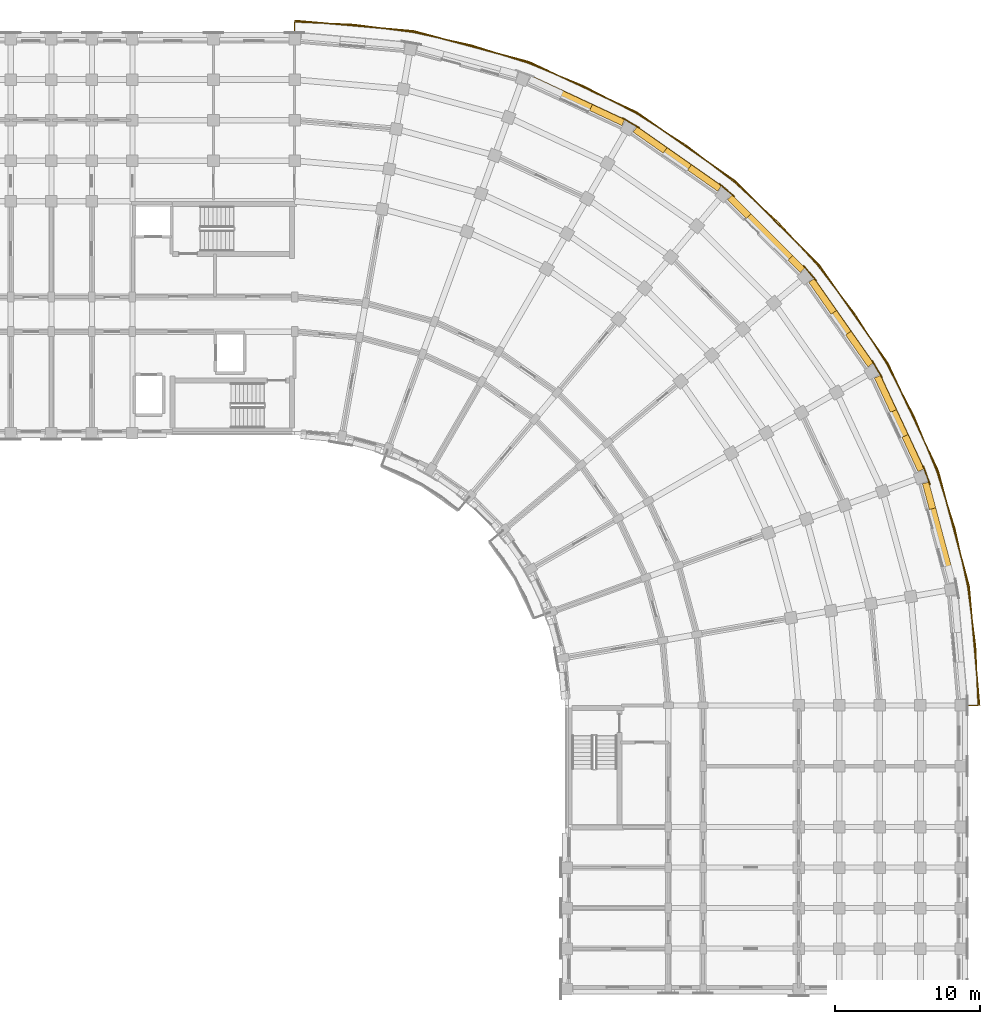
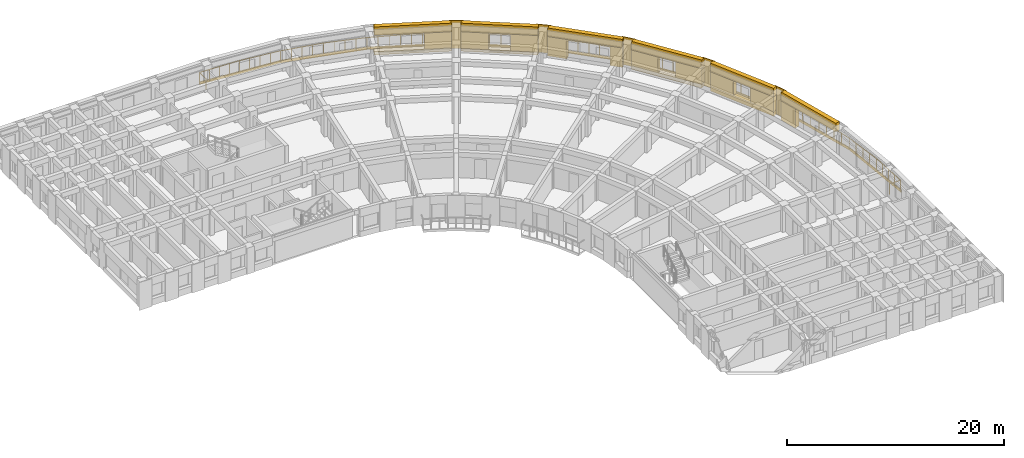
# One storey, part 52 of 54: 26 coverings, 1 railing.
"""IFC4 building model written with IfcOpenShell, lengths in metres."""

from ifc_helpers import new_model, si_unit, direction, frame, origin, origin_2d, place, context, subcontext, project, spatial, polyline, circle, outline, extrude, material, layer, layer_set, type_object, element, save


model = new_model("IFC4")

# Units and contexts
model_context = context("Model", 3, precision=1e-05, world=origin(), true_north=direction((0.0, 1.0)))
body_context = subcontext(model_context, "Body", "Model", "MODEL_VIEW")
ifc_project = project(units=[si_unit("LENGTHUNIT", "METRE"), si_unit("AREAUNIT", "SQUARE_METRE"), si_unit("VOLUMEUNIT", "CUBIC_METRE"), si_unit("PLANEANGLEUNIT", "RADIAN"), si_unit("MASSUNIT", "GRAM", prefix="KILO")], contexts=[model_context])

# Site, building, storey
site_placement = place(None, origin())
site = spatial("IfcSite", under=ifc_project, at=site_placement, CompositionType="ELEMENT")
building_placement = place(site_placement, origin())
building = spatial("IfcBuilding", under=site, at=building_placement, Name="Kiranvali Square Residences", CompositionType="ELEMENT")
storey_placement = place(building_placement, frame((0.0, 0.0, 11.85009765625)))
storey = spatial("IfcBuildingStorey", under=building, at=storey_placement, Name="L03", CompositionType="ELEMENT", Elevation=11.85009765625)

# Coverings
ifc_material_1 = material(Name="Carved Porbandar limestone classical entablature and cornice", Category="masonry")
ifc_layer_1 = layer(ifc_material_1, 0.072021484375)
ifc_layer_set_1 = layer_set([ifc_layer_1], Name="Carved Porbandar limestone classical entablature and cornice")
covering_type_1 = type_object("IfcCoveringType", Name="COV-CLAD-BAL", PredefinedType="CLADDING", material=ifc_layer_set_1)
covering_1_placement = place(storey_placement, frame((0.0, 0.0, -0.239990234375)))
element("IfcCovering", 1, at=covering_1_placement, inside=storey, type_object=covering_type_1, Name="Block B L03 continuous curved limestone balcony fascia", PredefinedType="CLADDING", context=body_context, shape_type="SweptSolid", body=[
    extrude(outline(polyline([(119.800048828125, 135.052001953125), (128.005126953125, 134.334228515625), (135.961181640625, 132.202392578125), (143.426025390625, 128.721435546875), (150.173095703125, 123.9970703125), (155.9970703125, 118.173095703125), (160.721435546875, 111.426025390625), (164.202392578125, 103.961181640625), (166.334228515625, 96.005126953125), (167.052001953125, 87.800048828125), (167.117919921875, 87.800048828125), (166.399169921875, 96.0166015625), (164.264404296875, 103.983642578125), (160.778564453125, 111.458984375), (156.047607421875, 118.21533203125), (150.21533203125, 124.047607421875), (143.458984375, 128.778564453125), (135.983642578125, 132.264404296875), (128.0166015625, 134.399169921875), (119.800048828125, 135.117919921875), (119.800048828125, 135.052001953125)])), origin(), (0.0, 0.0, 1.0), 0.2998046875),
])
ifc_material_2 = material(Name="Honed Porbandar limestone ashlar facade cladding", Category="masonry")
ifc_layer_2 = layer(ifc_material_2, 0.3798828125)
ifc_layer_set_2 = layer_set([ifc_layer_2], Name="Honed Porbandar limestone ashlar facade cladding")
covering_type_2 = type_object("IfcCoveringType", Name="COV-CLAD-JAMB", PredefinedType="CLADDING", material=ifc_layer_set_2)
covering_2_placement = place(storey_placement, frame((0.0, 0.0, 0.371826171875)))
element("IfcCovering", 2, at=covering_2_placement, inside=storey, type_object=covering_type_2, Name="L03 deep limestone window jamb reveal B-L03-CRV-02.R", PredefinedType="CLADDING", context=body_context, shape_type="SweptSolid", body=[
    extrude(outline(polyline([(140.16357421875, 128.8671875), (142.392333984375, 127.827880859375), (142.586669921875, 128.244140625), (140.35791015625, 129.283447265625), (140.16357421875, 128.8671875)])), origin(), (0.0, 0.0, 1.0), 1.800048828125),
])
covering_3_placement = place(storey_placement, frame((0.0, 0.0, 0.322021484375)))
element("IfcCovering", 3, at=covering_3_placement, inside=storey, type_object=covering_type_2, Name="L03 deep limestone window jamb reveal B-L03-CRV-03.L", PredefinedType="CLADDING", context=body_context, shape_type="SweptSolid", body=[
    extrude(outline(polyline([(143.1689453125, 127.37939453125), (145.244873046875, 125.926025390625), (145.50830078125, 126.30224609375), (143.432373046875, 127.755859375), (143.1689453125, 127.37939453125)])), origin(), (0.0, 0.0, 1.0), 1.849853515625),
])
covering_4_placement = place(storey_placement, frame((0.0, 0.0, 0.322021484375)))
element("IfcCovering", 4, at=covering_4_placement, inside=storey, type_object=covering_type_2, Name="L03 deep limestone window jamb reveal B-L03-CRV-03.R", PredefinedType="CLADDING", context=body_context, shape_type="SweptSolid", body=[
    extrude(outline(polyline([(146.924072265625, 124.75), (149.0, 123.296630859375), (149.263427734375, 123.6728515625), (147.1875, 125.12646484375), (146.924072265625, 124.75)])), origin(), (0.0, 0.0, 1.0), 1.849853515625),
])
covering_5_placement = place(storey_placement, origin())
element("IfcCovering", 5, at=covering_5_placement, inside=storey, type_object=covering_type_2, Name="L03 deep limestone window jamb reveal B-L03-CRV-04.L", PredefinedType="CLADDING", context=body_context, shape_type="SweptSolid", body=[
    extrude(outline(polyline([(149.686767578125, 122.72021484375), (150.98876953125, 121.418212890625), (151.313720703125, 121.742919921875), (150.01171875, 123.045166015625), (149.686767578125, 122.72021484375)])), origin(), (0.0, 0.0, 1.0), 2.179931640625),
])
covering_6_placement = place(storey_placement, origin())
element("IfcCovering", 6, at=covering_6_placement, inside=storey, type_object=covering_type_2, Name="L03 deep limestone window jamb reveal B-L03-CRV-04.R", PredefinedType="CLADDING", context=body_context, shape_type="SweptSolid", body=[
    extrude(outline(polyline([(153.87109375, 118.535888671875), (154.72021484375, 117.686767578125), (155.045166015625, 118.01171875), (154.196044921875, 118.86083984375), (153.87109375, 118.535888671875)])), origin(), (0.0, 0.0, 1.0), 2.179931640625),
])
covering_7_placement = place(storey_placement, frame((0.0, 0.0, 0.421875)))
element("IfcCovering", 7, at=covering_7_placement, inside=storey, type_object=covering_type_2, Name="L03 deep limestone window jamb reveal B-L03-CRV-05.L", PredefinedType="CLADDING", context=body_context, shape_type="SweptSolid", body=[
    extrude(outline(polyline([(155.296630859375, 117.0), (156.836181640625, 114.80126953125), (157.212646484375, 115.064697265625), (155.6728515625, 117.263427734375), (155.296630859375, 117.0)])), origin(), (0.0, 0.0, 1.0), 1.75),
])
covering_8_placement = place(storey_placement, frame((0.0, 0.0, 0.421875)))
element("IfcCovering", 8, at=covering_8_placement, inside=storey, type_object=covering_type_2, Name="L03 deep limestone window jamb reveal B-L03-CRV-05.R", PredefinedType="CLADDING", context=body_context, shape_type="SweptSolid", body=[
    extrude(outline(polyline([(157.83984375, 113.36767578125), (159.37939453125, 111.1689453125), (159.755859375, 111.432373046875), (158.21630859375, 113.631103515625), (157.83984375, 113.36767578125)])), origin(), (0.0, 0.0, 1.0), 1.75),
])
covering_9_placement = place(storey_placement, frame((0.0, 0.0, 0.52197265625)))
element("IfcCovering", 9, at=covering_9_placement, inside=storey, type_object=covering_type_2, Name="L03 deep limestone window jamb reveal B-L03-CRV-06.L", PredefinedType="CLADDING", context=body_context, shape_type="SweptSolid", body=[
    extrude(outline(polyline([(159.827880859375, 110.392333984375), (160.930419921875, 108.027587890625), (161.346923828125, 108.221923828125), (160.244140625, 110.586669921875), (159.827880859375, 110.392333984375)])), origin(), (0.0, 0.0, 1.0), 1.64990234375),
])
covering_10_placement = place(storey_placement, frame((0.0, 0.0, 0.52197265625)))
element("IfcCovering", 10, at=covering_10_placement, inside=storey, type_object=covering_type_2, Name="L03 deep limestone window jamb reveal B-L03-CRV-06.R", PredefinedType="CLADDING", context=body_context, shape_type="SweptSolid", body=[
    extrude(outline(polyline([(161.7333984375, 106.3056640625), (162.836181640625, 103.94091796875), (163.252685546875, 104.13525390625), (162.14990234375, 106.5), (161.7333984375, 106.3056640625)])), origin(), (0.0, 0.0, 1.0), 1.64990234375),
])
covering_11_placement = place(storey_placement, origin())
element("IfcCovering", 11, at=covering_11_placement, inside=storey, type_object=covering_type_2, Name="L03 deep limestone window jamb reveal B-L03-CRV-07.L", PredefinedType="CLADDING", context=body_context, shape_type="SweptSolid", body=[
    extrude(outline(polyline([(163.142822265625, 103.098388671875), (163.619384765625, 101.31982421875), (164.063232421875, 101.438720703125), (163.586669921875, 103.21728515625), (163.142822265625, 103.098388671875)])), origin(), (0.0, 0.0, 1.0), 2.179931640625),
])
ifc_layer_3 = layer(ifc_material_2, 0.06494140625)
ifc_layer_set_3 = layer_set([ifc_layer_3], Name="Honed Porbandar limestone ashlar facade cladding")
covering_type_3 = type_object("IfcCoveringType", Name="COV-CLAD-PIER", PredefinedType="CLADDING", material=ifc_layer_set_3)
covering_12_placement = place(storey_placement, frame((0.0, 0.0, 0.0048828125)))
element("IfcCovering", 12, at=covering_12_placement, inside=storey, type_object=covering_type_3, Name="L03 Classical limestone corner pilaster CLAD-PR-B-L03-A03", PredefinedType="CLADDING", context=body_context, shape_type="SweptSolid", body=[
    extrude(outline(polyline([(143.622802734375, 127.702392578125), (142.445068359375, 128.382568359375), (142.411376953125, 128.323974609375), (143.589111328125, 127.64404296875), (143.622802734375, 127.702392578125)])), origin(), (0.0, 0.0, 1.0), 3.14013671875),
])
covering_13_placement = place(storey_placement, frame((0.0, 0.0, 0.0048828125)))
element("IfcCovering", 13, at=covering_13_placement, inside=storey, type_object=covering_type_3, Name="L03 Classical limestone corner pilaster CLAD-PR-B-L03-A04", PredefinedType="CLADDING", context=body_context, shape_type="SweptSolid", body=[
    extrude(outline(polyline([(150.18994140625, 122.95947265625), (149.148193359375, 123.833740234375), (149.104736328125, 123.781982421875), (150.146484375, 122.90771484375), (150.18994140625, 122.95947265625)])), origin(), (0.0, 0.0, 1.0), 3.14013671875),
])
covering_14_placement = place(storey_placement, frame((0.0, 0.0, 0.0048828125)))
element("IfcCovering", 14, at=covering_14_placement, inside=storey, type_object=covering_type_3, Name="L03 Classical limestone corner pilaster CLAD-PR-B-L03-A05", PredefinedType="CLADDING", context=body_context, shape_type="SweptSolid", body=[
    extrude(outline(polyline([(155.833740234375, 117.148193359375), (154.95947265625, 118.18994140625), (154.90771484375, 118.146484375), (155.781982421875, 117.104736328125), (155.833740234375, 117.148193359375)])), origin(), (0.0, 0.0, 1.0), 3.14013671875),
])
covering_15_placement = place(storey_placement, frame((0.0, 0.0, 0.0048828125)))
element("IfcCovering", 15, at=covering_15_placement, inside=storey, type_object=covering_type_3, Name="L03 Classical limestone corner pilaster CLAD-PR-B-L03-A06", PredefinedType="CLADDING", context=body_context, shape_type="SweptSolid", body=[
    extrude(outline(polyline([(160.382568359375, 110.445068359375), (159.702392578125, 111.622802734375), (159.64404296875, 111.589111328125), (160.323974609375, 110.411376953125), (160.382568359375, 110.445068359375)])), origin(), (0.0, 0.0, 1.0), 3.14013671875),
])
covering_16_placement = place(storey_placement, frame((0.0, 0.0, 0.0048828125)))
element("IfcCovering", 16, at=covering_16_placement, inside=storey, type_object=covering_type_3, Name="L03 Classical limestone corner pilaster CLAD-PR-B-L03-A07", PredefinedType="CLADDING", context=body_context, shape_type="SweptSolid", body=[
    extrude(outline(polyline([(163.6982421875, 103.053955078125), (163.233154296875, 104.33203125), (163.169677734375, 104.308837890625), (163.634765625, 103.031005859375), (163.6982421875, 103.053955078125)])), origin(), (0.0, 0.0, 1.0), 3.14013671875),
])
ifc_layer_4 = layer(ifc_material_2, 0.360107421875)
ifc_layer_set_4 = layer_set([ifc_layer_4], Name="Honed Porbandar limestone ashlar facade cladding")
covering_type_4 = type_object("IfcCoveringType", Name="COV-CLAD-WALL", PredefinedType="CLADDING", material=ifc_layer_set_4)
covering_17_placement = place(storey_placement, frame((0.0, 0.0, 2.171875)))
element("IfcCovering", 17, at=covering_17_placement, inside=storey, type_object=covering_type_4, Name="L03 light limestone spandrel lintel B-L03-CRV-02", PredefinedType="CLADDING", context=body_context, shape_type="SweptSolid", body=[
    extrude(outline(polyline([(135.94091796875, 130.836181640625), (142.392333984375, 127.827880859375), (142.586669921875, 128.244140625), (136.13525390625, 131.252685546875), (135.94091796875, 130.836181640625)])), origin(), (0.0, 0.0, 1.0), 0.97314453125),
])
covering_18_placement = place(storey_placement, frame((0.0, 0.0, 0.0048828125)))
element("IfcCovering", 18, at=covering_18_placement, inside=storey, type_object=covering_type_4, Name="L03 limestone window sill apron B-L03-CRV-02", PredefinedType="CLADDING", context=body_context, shape_type="SweptSolid", body=[
    extrude(outline(polyline([(135.94091796875, 130.836181640625), (142.392333984375, 127.827880859375), (142.59912109375, 128.271484375), (136.14794921875, 131.27978515625), (135.94091796875, 130.836181640625)])), origin(), (0.0, 0.0, 1.0), 0.366943359375),
])
covering_19_placement = place(storey_placement, frame((0.0, 0.0, 2.171875)))
element("IfcCovering", 19, at=covering_19_placement, inside=storey, type_object=covering_type_4, Name="L03 light limestone spandrel lintel B-L03-CRV-03", PredefinedType="CLADDING", context=body_context, shape_type="SweptSolid", body=[
    extrude(outline(polyline([(143.1689453125, 127.37939453125), (149.0, 123.296630859375), (149.263427734375, 123.6728515625), (143.432373046875, 127.755859375), (143.1689453125, 127.37939453125)])), origin(), (0.0, 0.0, 1.0), 0.97314453125),
])
covering_20_placement = place(storey_placement, frame((0.0, 0.0, 0.0048828125)))
element("IfcCovering", 20, at=covering_20_placement, inside=storey, type_object=covering_type_4, Name="L03 limestone window sill apron B-L03-CRV-03", PredefinedType="CLADDING", context=body_context, shape_type="SweptSolid", body=[
    extrude(outline(polyline([(143.1689453125, 127.37939453125), (149.0, 123.296630859375), (149.28076171875, 123.697509765625), (143.44970703125, 127.780517578125), (143.1689453125, 127.37939453125)])), origin(), (0.0, 0.0, 1.0), 0.317138671875),
])
covering_21_placement = place(storey_placement, frame((0.0, 0.0, 2.179931640625)))
element("IfcCovering", 21, at=covering_21_placement, inside=storey, type_object=covering_type_4, Name="L03 light limestone spandrel lintel B-L03-CRV-04", PredefinedType="CLADDING", context=body_context, shape_type="SweptSolid", body=[
    extrude(outline(polyline([(149.686767578125, 122.72021484375), (154.72021484375, 117.686767578125), (155.045166015625, 118.01171875), (150.01171875, 123.045166015625), (149.686767578125, 122.72021484375)])), origin(), (0.0, 0.0, 1.0), 0.965087890625),
])
covering_22_placement = place(storey_placement, frame((0.0, 0.0, 2.171875)))
element("IfcCovering", 22, at=covering_22_placement, inside=storey, type_object=covering_type_4, Name="L03 light limestone spandrel lintel B-L03-CRV-05", PredefinedType="CLADDING", context=body_context, shape_type="SweptSolid", body=[
    extrude(outline(polyline([(155.296630859375, 117.0), (159.37939453125, 111.1689453125), (159.755859375, 111.432373046875), (155.6728515625, 117.263427734375), (155.296630859375, 117.0)])), origin(), (0.0, 0.0, 1.0), 0.97314453125),
])
covering_23_placement = place(storey_placement, frame((0.0, 0.0, 0.0048828125)))
element("IfcCovering", 23, at=covering_23_placement, inside=storey, type_object=covering_type_4, Name="L03 limestone window sill apron B-L03-CRV-05", PredefinedType="CLADDING", context=body_context, shape_type="SweptSolid", body=[
    extrude(outline(polyline([(155.296630859375, 117.0), (159.37939453125, 111.1689453125), (159.780517578125, 111.44970703125), (155.697509765625, 117.28076171875), (155.296630859375, 117.0)])), origin(), (0.0, 0.0, 1.0), 0.4169921875),
])
covering_24_placement = place(storey_placement, frame((0.0, 0.0, 2.171875)))
element("IfcCovering", 24, at=covering_24_placement, inside=storey, type_object=covering_type_4, Name="L03 light limestone spandrel lintel B-L03-CRV-06", PredefinedType="CLADDING", context=body_context, shape_type="SweptSolid", body=[
    extrude(outline(polyline([(159.827880859375, 110.392333984375), (162.836181640625, 103.94091796875), (163.252685546875, 104.13525390625), (160.244140625, 110.586669921875), (159.827880859375, 110.392333984375)])), origin(), (0.0, 0.0, 1.0), 0.97314453125),
])
covering_25_placement = place(storey_placement, frame((0.0, 0.0, 0.0048828125)))
element("IfcCovering", 25, at=covering_25_placement, inside=storey, type_object=covering_type_4, Name="L03 limestone window sill apron B-L03-CRV-06", PredefinedType="CLADDING", context=body_context, shape_type="SweptSolid", body=[
    extrude(outline(polyline([(159.827880859375, 110.392333984375), (162.836181640625, 103.94091796875), (163.27978515625, 104.14794921875), (160.271484375, 110.59912109375), (159.827880859375, 110.392333984375)])), origin(), (0.0, 0.0, 1.0), 0.51708984375),
])
covering_26_placement = place(storey_placement, frame((0.0, 0.0, 2.179931640625)))
element("IfcCovering", 26, at=covering_26_placement, inside=storey, type_object=covering_type_4, Name="L03 light limestone spandrel lintel B-L03-CRV-07", PredefinedType="CLADDING", context=body_context, shape_type="SweptSolid", body=[
    extrude(outline(polyline([(163.142822265625, 103.098388671875), (164.985107421875, 96.22265625), (165.428955078125, 96.341552734375), (163.586669921875, 103.21728515625), (163.142822265625, 103.098388671875)])), origin(), (0.0, 0.0, 1.0), 0.965087890625),
])

# Railing
ifc_material_3 = material(Name="Powder-coated architectural bronze balustrade", Category="steel")
railing_type = type_object("IfcRailingType", Name="RL-BAL-GOLD-1200", PredefinedType="BALUSTRADE", material=ifc_material_3)
railing_placement = place(storey_placement, frame((119.800048828125, 133.840087890625, 0.0)))
element("IfcRailing", 27, at=railing_placement, inside=storey, type_object=railing_type, Name="Block B L03 continuous curved corner gold balustrade", PredefinedType="BALUSTRADE", context=body_context, shape_type="SweptSolid", body=[
    extrude(circle(Radius=0.02392578125, at=origin_2d()), frame((0.0, 0.0, 1.17578125), z_axis=(0.0, 1.0, 0.0), x_axis=(-1.0, 0.0, 0.0)), (0.0, 0.0, 1.0), 1.14990234375),
    extrude(circle(Radius=0.02392578125, at=origin_2d()), frame((0.0, 1.14990234375, 1.17578125), z_axis=(0.999049544955, -0.043589066576, 0.0), x_axis=(0.043589066576, 0.999049544955, 0.0)), (0.0, 0.0, 1.0), 4.11669921875),
    extrude(circle(Radius=0.02392578125, at=origin_2d()), frame((4.11279296875, 0.970458984375, 1.17578125), z_axis=(0.991444603928, -0.1305281477, 0.0), x_axis=(0.1305281477, 0.991444603928, 0.0)), (0.0, 0.0, 1.0), 4.11669921875),
    extrude(circle(Radius=0.02392578125, at=origin_2d()), frame((8.1943359375, 0.43310546875, 1.17578125), z_axis=(0.976292989924, -0.216453223181, 0.0), x_axis=(0.216453223181, 0.976292989924, 0.0)), (0.0, 0.0, 1.0), 4.116943359375),
    extrude(circle(Radius=0.02392578125, at=origin_2d()), frame((12.213623046875, -0.4580078125, 1.17578125), z_axis=(0.953710744932, -0.300725481131, 0.0), x_axis=(0.300725481131, 0.953710744932, 0.0)), (0.0, 0.0, 1.0), 4.116943359375),
    extrude(circle(Radius=0.02392578125, at=origin_2d()), frame((16.139892578125, -1.696044921875, 1.17578125), z_axis=(0.923880226262, -0.382681757498, 0.0), x_axis=(0.382681757498, 0.923880226262, 0.0)), (0.0, 0.0, 1.0), 4.116943359375),
    extrude(circle(Radius=0.02392578125, at=origin_2d()), frame((19.943359375, -3.271484375, 1.17578125), z_axis=(0.887013781313, -0.461742949877, 0.0), x_axis=(0.461742949877, 0.887013781313, 0.0)), (0.0, 0.0, 1.0), 4.11669921875),
    extrude(circle(Radius=0.02392578125, at=origin_2d()), frame((23.594970703125, -5.17236328125, 1.17578125), z_axis=(0.843402550976, -0.537282176335, 0.0), x_axis=(0.537282176335, 0.843402550976, 0.0)), (0.0, 0.0, 1.0), 4.116943359375),
    extrude(circle(Radius=0.02392578125, at=origin_2d()), frame((27.067138671875, -7.38427734375, 1.17578125), z_axis=(0.793339967331, -0.608778856594, 0.0), x_axis=(0.608778856594, 0.793339967331, 0.0)), (0.0, 0.0, 1.0), 4.11669921875),
    extrude(circle(Radius=0.02392578125, at=origin_2d()), frame((30.3330078125, -9.890380859375, 1.17578125), z_axis=(0.737299356654, -0.675566176386, 0.0), x_axis=(0.675566176386, 0.737299356654, 0.0)), (0.0, 0.0, 1.0), 4.116943359375),
    extrude(circle(Radius=0.02392578125, at=origin_2d()), frame((33.368408203125, -12.671630859375, 1.17578125), z_axis=(0.675566176386, -0.737299356654, 0.0), x_axis=(0.737299356654, 0.675566176386, 0.0)), (0.0, 0.0, 1.0), 4.116943359375),
    extrude(circle(Radius=0.02392578125, at=origin_2d()), frame((36.149658203125, -15.70703125, 1.17578125), z_axis=(0.608778856594, -0.793339967331, 0.0), x_axis=(0.793339967331, 0.608778856594, 0.0)), (0.0, 0.0, 1.0), 4.11669921875),
    extrude(circle(Radius=0.02392578125, at=origin_2d()), frame((38.65576171875, -18.972900390625, 1.17578125), z_axis=(0.537282176335, -0.843402550976, 0.0), x_axis=(0.843402550976, 0.537282176335, 0.0)), (0.0, 0.0, 1.0), 4.116943359375),
    extrude(circle(Radius=0.02392578125, at=origin_2d()), frame((40.86767578125, -22.445068359375, 1.17578125), z_axis=(0.461742949877, -0.887013781313, 0.0), x_axis=(0.887013781313, 0.461742949877, 0.0)), (0.0, 0.0, 1.0), 4.11669921875),
    extrude(circle(Radius=0.02392578125, at=origin_2d()), frame((42.7685546875, -26.0966796875, 1.17578125), z_axis=(0.382681757498, -0.923880226262, 0.0), x_axis=(0.923880226262, 0.382681757498, 0.0)), (0.0, 0.0, 1.0), 4.116943359375),
    extrude(circle(Radius=0.02392578125, at=origin_2d()), frame((44.343994140625, -29.900146484375, 1.17578125), z_axis=(0.300725481131, -0.953710744932, 0.0), x_axis=(0.953710744932, 0.300725481131, 0.0)), (0.0, 0.0, 1.0), 4.116943359375),
    extrude(circle(Radius=0.02392578125, at=origin_2d()), frame((45.58203125, -33.826416015625, 1.17578125), z_axis=(0.216453223181, -0.976292989924, 0.0), x_axis=(0.976292989924, 0.216453223181, 0.0)), (0.0, 0.0, 1.0), 4.116943359375),
    extrude(circle(Radius=0.02392578125, at=origin_2d()), frame((46.47314453125, -37.845703125, 1.17578125), z_axis=(0.1305281477, -0.991444603928, 0.0), x_axis=(0.991444603928, 0.1305281477, 0.0)), (0.0, 0.0, 1.0), 4.11669921875),
    extrude(circle(Radius=0.02392578125, at=origin_2d()), frame((47.010498046875, -41.92724609375, 1.17578125), z_axis=(0.043589066576, -0.999049544955, 0.0), x_axis=(0.999049544955, 0.043589066576, 0.0)), (0.0, 0.0, 1.0), 4.11669921875),
    extrude(circle(Radius=0.02392578125, at=origin_2d()), frame((47.18994140625, -46.0400390625, 1.17578125), z_axis=(-1.0, 0.0, 0.0), x_axis=(0.0, -1.0, 0.0)), (0.0, 0.0, 1.0), 1.14990234375),
    extrude(circle(Radius=0.02099609375, at=origin_2d()), origin(), (0.0, 0.0, 1.0), 1.15185546875),
    extrude(circle(Radius=0.02099609375, at=origin_2d()), frame((0.0, 1.14990234375, 0.0)), (0.0, 0.0, 1.0), 1.15185546875),
    extrude(circle(Radius=0.02099609375, at=origin_2d()), frame((1.0283203125, 1.10498046875, 0.0)), (0.0, 0.0, 1.0), 1.15185546875),
    extrude(circle(Radius=0.02099609375, at=origin_2d()), frame((2.056396484375, 1.06005859375, 0.0)), (0.0, 0.0, 1.0), 1.15185546875),
    extrude(circle(Radius=0.02099609375, at=origin_2d()), frame((3.08447265625, 1.015380859375, 0.0)), (0.0, 0.0, 1.0), 1.15185546875),
    extrude(circle(Radius=0.02099609375, at=origin_2d()), frame((4.11279296875, 0.970458984375, 0.0)), (0.0, 0.0, 1.0), 1.15185546875),
    extrude(circle(Radius=0.02099609375, at=origin_2d()), frame((5.13330078125, 0.836181640625, 0.0)), (0.0, 0.0, 1.0), 1.15185546875),
    extrude(circle(Radius=0.02099609375, at=origin_2d()), frame((6.153564453125, 0.70166015625, 0.0)), (0.0, 0.0, 1.0), 1.15185546875),
    extrude(circle(Radius=0.02099609375, at=origin_2d()), frame((7.173828125, 0.5673828125, 0.0)), (0.0, 0.0, 1.0), 1.15185546875),
    extrude(circle(Radius=0.02099609375, at=origin_2d()), frame((8.1943359375, 0.43310546875, 0.0)), (0.0, 0.0, 1.0), 1.15185546875),
    extrude(circle(Radius=0.02099609375, at=origin_2d()), frame((9.19921875, 0.21044921875, 0.0)), (0.0, 0.0, 1.0), 1.15185546875),
    extrude(circle(Radius=0.02099609375, at=origin_2d()), frame((10.2041015625, -0.012451171875, 0.0)), (0.0, 0.0, 1.0), 1.15185546875),
    extrude(circle(Radius=0.02099609375, at=origin_2d()), frame((11.208740234375, -0.2353515625, 0.0)), (0.0, 0.0, 1.0), 1.15185546875),
    extrude(circle(Radius=0.02099609375, at=origin_2d()), frame((12.213623046875, -0.4580078125, 0.0)), (0.0, 0.0, 1.0), 1.15185546875),
    extrude(circle(Radius=0.02099609375, at=origin_2d()), frame((13.1953125, -0.767578125, 0.0)), (0.0, 0.0, 1.0), 1.15185546875),
    extrude(circle(Radius=0.02099609375, at=origin_2d()), frame((14.1767578125, -1.0771484375, 0.0)), (0.0, 0.0, 1.0), 1.15185546875),
    extrude(circle(Radius=0.02099609375, at=origin_2d()), frame((15.158203125, -1.386474609375, 0.0)), (0.0, 0.0, 1.0), 1.15185546875),
    extrude(circle(Radius=0.02099609375, at=origin_2d()), frame((16.139892578125, -1.696044921875, 0.0)), (0.0, 0.0, 1.0), 1.15185546875),
    extrude(circle(Radius=0.02099609375, at=origin_2d()), frame((17.0908203125, -2.08984375, 0.0)), (0.0, 0.0, 1.0), 1.15185546875),
    extrude(circle(Radius=0.02099609375, at=origin_2d()), frame((18.04150390625, -2.48388671875, 0.0)), (0.0, 0.0, 1.0), 1.15185546875),
    extrude(circle(Radius=0.02099609375, at=origin_2d()), frame((18.992431640625, -2.877685546875, 0.0)), (0.0, 0.0, 1.0), 1.15185546875),
    extrude(circle(Radius=0.02099609375, at=origin_2d()), frame((19.943359375, -3.271484375, 0.0)), (0.0, 0.0, 1.0), 1.15185546875),
    extrude(circle(Radius=0.02099609375, at=origin_2d()), frame((20.856201171875, -3.74658203125, 0.0)), (0.0, 0.0, 1.0), 1.15185546875),
    extrude(circle(Radius=0.02099609375, at=origin_2d()), frame((21.76904296875, -4.221923828125, 0.0)), (0.0, 0.0, 1.0), 1.15185546875),
    extrude(circle(Radius=0.02099609375, at=origin_2d()), frame((22.68212890625, -4.697265625, 0.0)), (0.0, 0.0, 1.0), 1.15185546875),
    extrude(circle(Radius=0.02099609375, at=origin_2d()), frame((23.594970703125, -5.17236328125, 0.0)), (0.0, 0.0, 1.0), 1.15185546875),
    extrude(circle(Radius=0.02099609375, at=origin_2d()), frame((24.462890625, -5.725341796875, 0.0)), (0.0, 0.0, 1.0), 1.15185546875),
    extrude(circle(Radius=0.02099609375, at=origin_2d()), frame((25.3310546875, -6.2783203125, 0.0)), (0.0, 0.0, 1.0), 1.15185546875),
    extrude(circle(Radius=0.02099609375, at=origin_2d()), frame((26.19921875, -6.831298828125, 0.0)), (0.0, 0.0, 1.0), 1.15185546875),
    extrude(circle(Radius=0.02099609375, at=origin_2d()), frame((27.067138671875, -7.38427734375, 0.0)), (0.0, 0.0, 1.0), 1.15185546875),
    extrude(circle(Radius=0.02099609375, at=origin_2d()), frame((27.883544921875, -8.0107421875, 0.0)), (0.0, 0.0, 1.0), 1.15185546875),
    extrude(circle(Radius=0.02099609375, at=origin_2d()), frame((28.7001953125, -8.63720703125, 0.0)), (0.0, 0.0, 1.0), 1.15185546875),
    extrude(circle(Radius=0.02099609375, at=origin_2d()), frame((29.5166015625, -9.263916015625, 0.0)), (0.0, 0.0, 1.0), 1.15185546875),
    extrude(circle(Radius=0.02099609375, at=origin_2d()), frame((30.3330078125, -9.890380859375, 0.0)), (0.0, 0.0, 1.0), 1.15185546875),
    extrude(circle(Radius=0.02099609375, at=origin_2d()), frame((31.091796875, -10.585693359375, 0.0)), (0.0, 0.0, 1.0), 1.15185546875),
    extrude(circle(Radius=0.02099609375, at=origin_2d()), frame((31.8505859375, -11.281005859375, 0.0)), (0.0, 0.0, 1.0), 1.15185546875),
    extrude(circle(Radius=0.02099609375, at=origin_2d()), frame((32.609619140625, -11.976318359375, 0.0)), (0.0, 0.0, 1.0), 1.15185546875),
    extrude(circle(Radius=0.02099609375, at=origin_2d()), frame((33.368408203125, -12.671630859375, 0.0)), (0.0, 0.0, 1.0), 1.15185546875),
    extrude(circle(Radius=0.02099609375, at=origin_2d()), frame((34.063720703125, -13.430419921875, 0.0)), (0.0, 0.0, 1.0), 1.15185546875),
    extrude(circle(Radius=0.02099609375, at=origin_2d()), frame((34.759033203125, -14.189453125, 0.0)), (0.0, 0.0, 1.0), 1.15185546875),
    extrude(circle(Radius=0.02099609375, at=origin_2d()), frame((35.454345703125, -14.9482421875, 0.0)), (0.0, 0.0, 1.0), 1.15185546875),
    extrude(circle(Radius=0.02099609375, at=origin_2d()), frame((36.149658203125, -15.70703125, 0.0)), (0.0, 0.0, 1.0), 1.15185546875),
    extrude(circle(Radius=0.02099609375, at=origin_2d()), frame((36.776123046875, -16.5234375, 0.0)), (0.0, 0.0, 1.0), 1.15185546875),
    extrude(circle(Radius=0.02099609375, at=origin_2d()), frame((37.40283203125, -17.33984375, 0.0)), (0.0, 0.0, 1.0), 1.15185546875),
    extrude(circle(Radius=0.02099609375, at=origin_2d()), frame((38.029296875, -18.156494140625, 0.0)), (0.0, 0.0, 1.0), 1.15185546875),
    extrude(circle(Radius=0.02099609375, at=origin_2d()), frame((38.65576171875, -18.972900390625, 0.0)), (0.0, 0.0, 1.0), 1.15185546875),
    extrude(circle(Radius=0.02099609375, at=origin_2d()), frame((39.208740234375, -19.8408203125, 0.0)), (0.0, 0.0, 1.0), 1.15185546875),
    extrude(circle(Radius=0.02099609375, at=origin_2d()), frame((39.76171875, -20.708984375, 0.0)), (0.0, 0.0, 1.0), 1.15185546875),
    extrude(circle(Radius=0.02099609375, at=origin_2d()), frame((40.314697265625, -21.5771484375, 0.0)), (0.0, 0.0, 1.0), 1.15185546875),
    extrude(circle(Radius=0.02099609375, at=origin_2d()), frame((40.86767578125, -22.445068359375, 0.0)), (0.0, 0.0, 1.0), 1.15185546875),
    extrude(circle(Radius=0.02099609375, at=origin_2d()), frame((41.3427734375, -23.35791015625, 0.0)), (0.0, 0.0, 1.0), 1.15185546875),
    extrude(circle(Radius=0.02099609375, at=origin_2d()), frame((41.818115234375, -24.27099609375, 0.0)), (0.0, 0.0, 1.0), 1.15185546875),
    extrude(circle(Radius=0.02099609375, at=origin_2d()), frame((42.29345703125, -25.183837890625, 0.0)), (0.0, 0.0, 1.0), 1.15185546875),
    extrude(circle(Radius=0.02099609375, at=origin_2d()), frame((42.7685546875, -26.0966796875, 0.0)), (0.0, 0.0, 1.0), 1.15185546875),
    extrude(circle(Radius=0.02099609375, at=origin_2d()), frame((43.162353515625, -27.047607421875, 0.0)), (0.0, 0.0, 1.0), 1.15185546875),
    extrude(circle(Radius=0.02099609375, at=origin_2d()), frame((43.55615234375, -27.99853515625, 0.0)), (0.0, 0.0, 1.0), 1.15185546875),
    extrude(circle(Radius=0.02099609375, at=origin_2d()), frame((43.9501953125, -28.94921875, 0.0)), (0.0, 0.0, 1.0), 1.15185546875),
    extrude(circle(Radius=0.02099609375, at=origin_2d()), frame((44.343994140625, -29.900146484375, 0.0)), (0.0, 0.0, 1.0), 1.15185546875),
    extrude(circle(Radius=0.02099609375, at=origin_2d()), frame((44.653564453125, -30.8818359375, 0.0)), (0.0, 0.0, 1.0), 1.15185546875),
    extrude(circle(Radius=0.02099609375, at=origin_2d()), frame((44.962890625, -31.86328125, 0.0)), (0.0, 0.0, 1.0), 1.15185546875),
    extrude(circle(Radius=0.02099609375, at=origin_2d()), frame((45.2724609375, -32.8447265625, 0.0)), (0.0, 0.0, 1.0), 1.15185546875),
    extrude(circle(Radius=0.02099609375, at=origin_2d()), frame((45.58203125, -33.826416015625, 0.0)), (0.0, 0.0, 1.0), 1.15185546875),
    extrude(circle(Radius=0.02099609375, at=origin_2d()), frame((45.8046875, -34.831298828125, 0.0)), (0.0, 0.0, 1.0), 1.15185546875),
    extrude(circle(Radius=0.02099609375, at=origin_2d()), frame((46.027587890625, -35.8359375, 0.0)), (0.0, 0.0, 1.0), 1.15185546875),
    extrude(circle(Radius=0.02099609375, at=origin_2d()), frame((46.25048828125, -36.8408203125, 0.0)), (0.0, 0.0, 1.0), 1.15185546875),
    extrude(circle(Radius=0.02099609375, at=origin_2d()), frame((46.47314453125, -37.845703125, 0.0)), (0.0, 0.0, 1.0), 1.15185546875),
    extrude(circle(Radius=0.02099609375, at=origin_2d()), frame((46.607421875, -38.8662109375, 0.0)), (0.0, 0.0, 1.0), 1.15185546875),
    extrude(circle(Radius=0.02099609375, at=origin_2d()), frame((46.74169921875, -39.886474609375, 0.0)), (0.0, 0.0, 1.0), 1.15185546875),
    extrude(circle(Radius=0.02099609375, at=origin_2d()), frame((46.876220703125, -40.90673828125, 0.0)), (0.0, 0.0, 1.0), 1.15185546875),
    extrude(circle(Radius=0.02099609375, at=origin_2d()), frame((47.010498046875, -41.92724609375, 0.0)), (0.0, 0.0, 1.0), 1.15185546875),
    extrude(circle(Radius=0.02099609375, at=origin_2d()), frame((47.055419921875, -42.95556640625, 0.0)), (0.0, 0.0, 1.0), 1.15185546875),
    extrude(circle(Radius=0.02099609375, at=origin_2d()), frame((47.10009765625, -43.983642578125, 0.0)), (0.0, 0.0, 1.0), 1.15185546875),
    extrude(circle(Radius=0.02099609375, at=origin_2d()), frame((47.14501953125, -45.01171875, 0.0)), (0.0, 0.0, 1.0), 1.15185546875),
    extrude(circle(Radius=0.02099609375, at=origin_2d()), frame((47.18994140625, -46.0400390625, 0.0)), (0.0, 0.0, 1.0), 1.15185546875),
    extrude(circle(Radius=0.02099609375, at=origin_2d()), frame((46.0400390625, -46.0400390625, 0.0)), (0.0, 0.0, 1.0), 1.15185546875),
])

save(model, "model.ifc")
